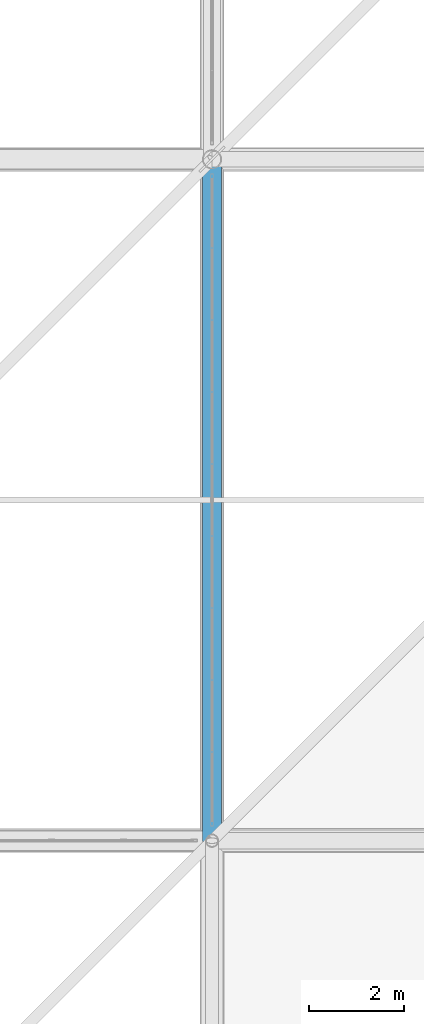
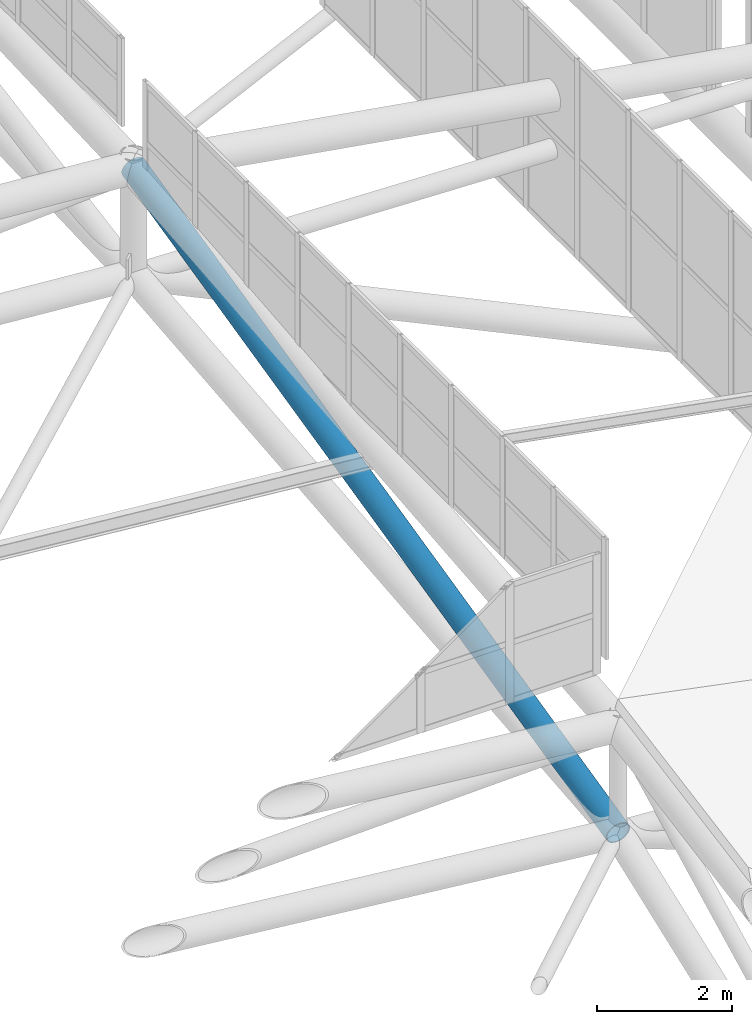
# One storey, part 140 of 397: 1 member.
"""IFC4 building model written with IfcOpenShell, lengths in metres."""

from ifc_helpers import new_model, si_unit, direction, frame, origin, origin_2d, place, context, subcontext, project, spatial, hollow_circle, extrude, material, material_profile, profile_set, type_object, element, save


model = new_model("IFC4")

# Units and contexts
model_context = context("Model", 3, precision=1e-05, world=origin(), true_north=direction((0.0, 1.0)))
body_context = subcontext(model_context, "Body", "Model", "MODEL_VIEW")
ifc_project = project(units=[si_unit("LENGTHUNIT", "METRE"), si_unit("AREAUNIT", "SQUARE_METRE"), si_unit("VOLUMEUNIT", "CUBIC_METRE"), si_unit("PLANEANGLEUNIT", "RADIAN"), si_unit("MASSUNIT", "GRAM", prefix="KILO")], contexts=[model_context])

# Site, building, storey
site_placement = place(None, origin())
site = spatial("IfcSite", under=ifc_project, at=site_placement, CompositionType="ELEMENT")
building_placement = place(site_placement, origin())
building = spatial("IfcBuilding", under=site, at=building_placement, Name="Qandorah Velis Arena", CompositionType="ELEMENT")
storey_placement = place(building_placement, frame((0.0, 0.0, 27.5)))
storey = spatial("IfcBuildingStorey", under=building, at=storey_placement, Name="RF", CompositionType="ELEMENT", Elevation=27.5)

# Member
ifc_material = material(Name="Steel S355", Category="steel")
ifc_material_profile = material_profile(ifc_material, hollow_circle(Radius=0.203125, WallThickness=0.01611328125, at=origin_2d()), Name="CHS 406.4x16")
ifc_profile_set = profile_set([ifc_material_profile], Name="Steel S355")
member_type = type_object("IfcMemberType", Name="STR-SFD-CHS406X16", PredefinedType="STRUT", material=ifc_profile_set)
member_placement = place(storey_placement, frame((100.800048828125, 28.800048828125, 5.515380859375), z_axis=(0.0, 0.974105384797, 0.226094447762), x_axis=(-1.0, 0.0, 0.0)))
element("IfcMember", 1, at=member_placement, inside=storey, type_object=member_type, Name="Space frame roof diagonal Y 6.1", PredefinedType="STRUT", context=body_context, shape_type="SweptSolid", body=[
    extrude(hollow_circle(Radius=0.203125, WallThickness=0.01611328125, at=origin_2d()), origin(), (0.0, 0.0, 1.0), 14.78271484375),
])

save(model, "model.ifc")
